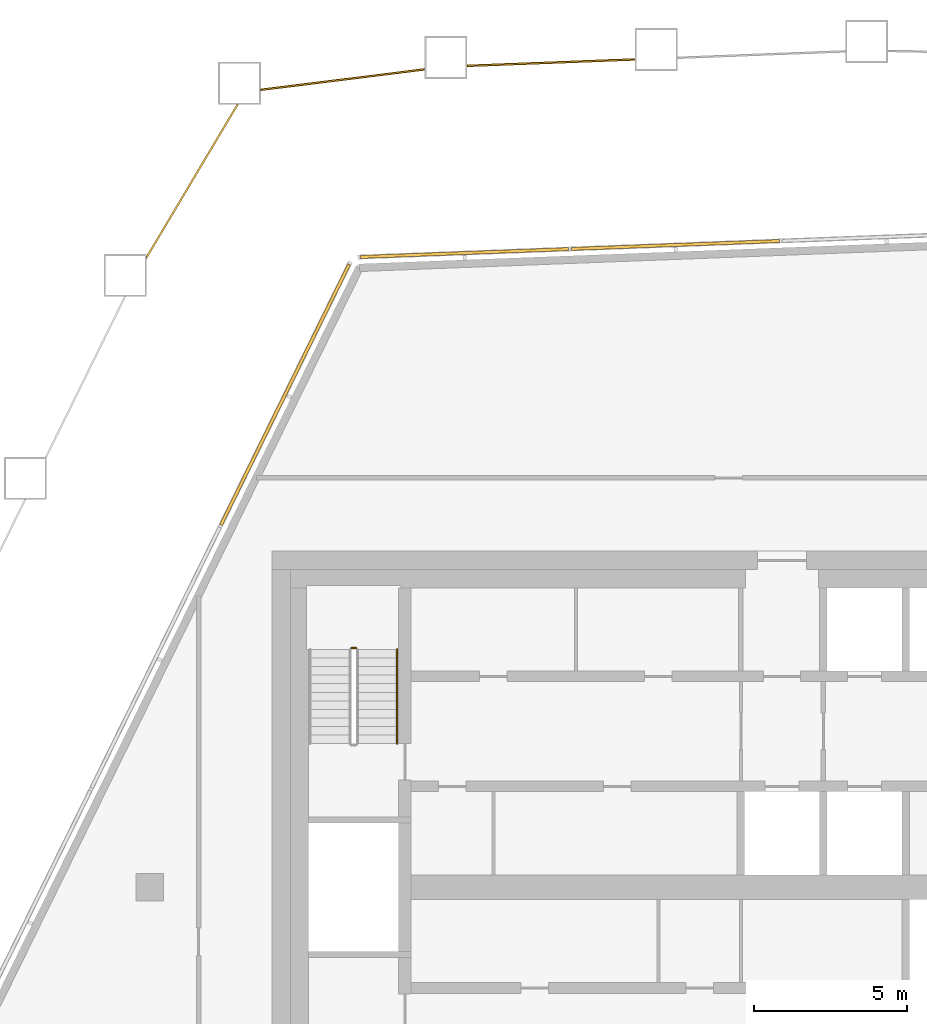
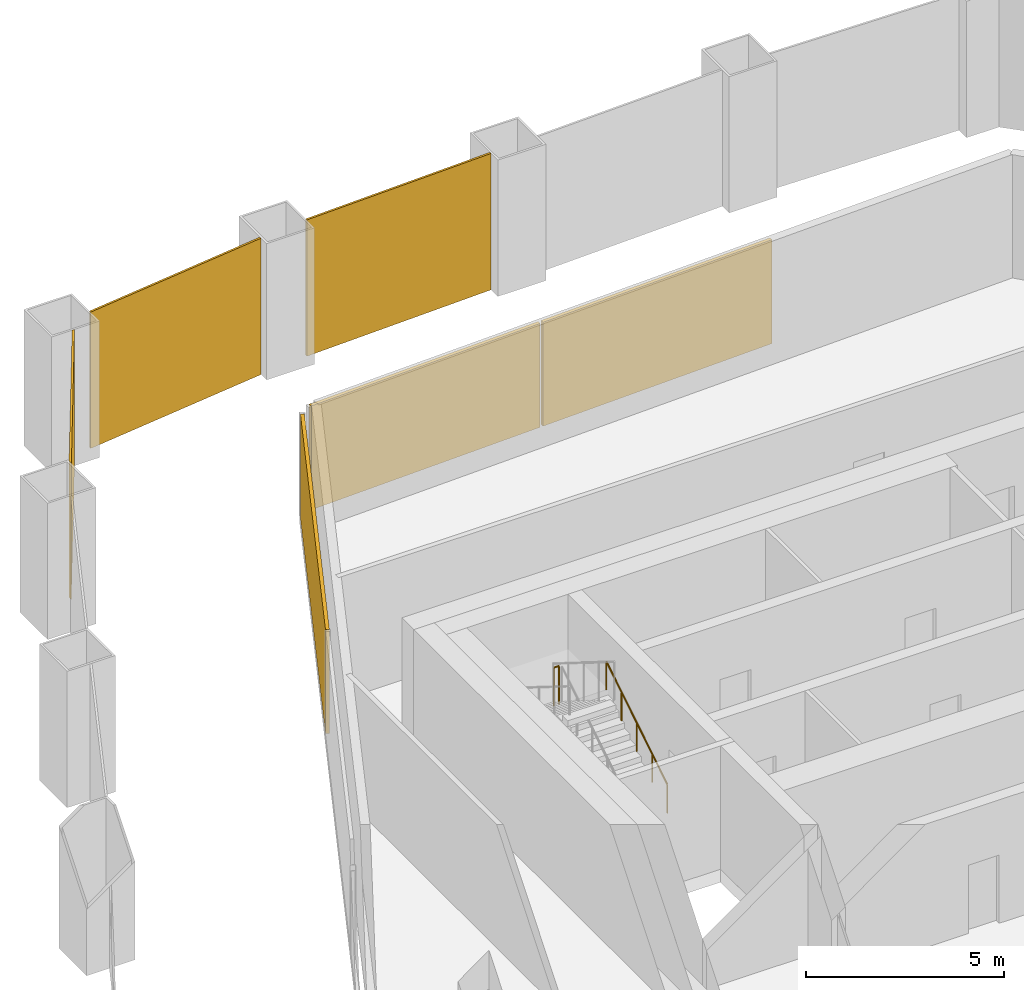
# One storey, part 16 of 18: 6 coverings, 2 railings, 2 elements without a shape of their own.
"""IFC4 building model written with IfcOpenShell, lengths in metres."""

import ifcopenshell
import ifcopenshell.guid

model = None  # the IFC model being written
_history = None  # IfcOwnerHistory: only IFC2X3 demands one
_inside = {}  # id of a spatial element -> (the spatial element, [elements in it])
_under = {}  # id of a project, library or spatial element -> (it, [spatial elements below it])
_declared = {}  # id of a project -> (the project, [libraries it declares])
_typed = {}  # id of a type object -> (the type object, [elements of that type])
_made_of = {}  # id of a material, layer set ... -> (it, [elements and type objects made of it])


def new_model(schema):
    """Start an empty IFC model of exactly this schema.

    Asked for "IFC4X3", IfcOpenShell would pick the latest addendum, in which some entities
    have other attributes; the version numbers below select the first issue.
    IFC2X3 requires an IfcOwnerHistory on every rooted entity: one is made here for all.
    """
    global model, _history
    if schema == "IFC4X3":
        model = ifcopenshell.file(schema_version=(4, 3, 0, 0))
    else:
        model = ifcopenshell.file(schema=schema)
    _inside.clear()
    _under.clear()
    _declared.clear()
    _typed.clear()
    _made_of.clear()
    _history = None
    if model.schema == "IFC2X3":
        org = make("IfcOrganization", Name="unknown")
        user = make(
            "IfcPersonAndOrganization",
            ThePerson=make("IfcPerson", FamilyName="unknown"),
            TheOrganization=org,
        )
        app = make(
            "IfcApplication",
            ApplicationDeveloper=org,
            Version="unknown",
            ApplicationFullName="unknown",
            ApplicationIdentifier="unknown",
        )
        _history = make(
            "IfcOwnerHistory",
            OwningUser=user,
            OwningApplication=app,
            ChangeAction="ADDED",
            CreationDate=0,
        )
    return model


def make(cls, **values):
    """One entity of the class cls with the attributes given. An attribute that is None is left unset."""
    return model.create_entity(
        cls, **{name: value for name, value in values.items() if value is not None}
    )


def rooted(cls, **values):
    """An entity with a GlobalId (a new one), such as an element, a storey or a relation."""
    return make(cls, GlobalId=ifcopenshell.guid.new(), OwnerHistory=_history, **values)


def si_unit(unit_type, name, prefix=None):
    """IfcSIUnit, for example si_unit("LENGTHUNIT", "METRE", prefix="MILLI")."""
    return make("IfcSIUnit", UnitType=unit_type, Prefix=prefix, Name=name)


def assignment(units):
    """IfcUnitAssignment: the units of a project."""
    return None if units is None else make("IfcUnitAssignment", Units=units)


def point(xyz):
    """IfcCartesianPoint."""
    return None if xyz is None else make("IfcCartesianPoint", Coordinates=xyz)


def direction(xyz):
    """IfcDirection."""
    return None if xyz is None else make("IfcDirection", DirectionRatios=xyz)


def frame(location, z_axis=None, x_axis=None):
    """IfcAxis2Placement3D, a coordinate frame: its origin and axes. An axis left out is left unset."""
    return make(
        "IfcAxis2Placement3D",
        Location=point(location),
        Axis=direction(z_axis),
        RefDirection=direction(x_axis),
    )


def frame_2d(location, x_axis=None):
    """IfcAxis2Placement2D, a coordinate frame in the plane: its origin and x axis."""
    return make(
        "IfcAxis2Placement2D", Location=point(location), RefDirection=direction(x_axis)
    )


def origin():
    """The frame at (0, 0, 0) with its axes left unset."""
    return frame((0.0, 0.0, 0.0))


def origin_2d():
    """The frame at (0, 0) in the plane with its x axis left unset."""
    return frame_2d((0.0, 0.0))


def place(relative_to, where):
    """IfcLocalPlacement: puts the frame where relative to a parent placement (None: the world)."""
    return make(
        "IfcLocalPlacement", PlacementRelTo=relative_to, RelativePlacement=where
    )


def context(
    kind, dimensions, precision=None, world=None, true_north=None, identifier=None
):
    """IfcGeometricRepresentationContext, for example the 3D "Model" context."""
    return make(
        "IfcGeometricRepresentationContext",
        ContextIdentifier=identifier,
        ContextType=kind,
        CoordinateSpaceDimension=dimensions,
        Precision=precision,
        WorldCoordinateSystem=world,
        TrueNorth=true_north,
    )


def subcontext(parent, identifier, kind, view, scale=None):
    """IfcGeometricRepresentationSubContext, for example "Body" below "Model"."""
    return make(
        "IfcGeometricRepresentationSubContext",
        ContextIdentifier=identifier,
        ContextType=kind,
        ParentContext=parent,
        TargetScale=scale,
        TargetView=view,
    )


def project(units=None, contexts=None):
    """IfcProject with its units and contexts."""
    return rooted(
        "IfcProject",
        Name="project",
        RepresentationContexts=contexts,
        UnitsInContext=assignment(units),
    )


def spatial(cls, under=None, at=None, **own):
    """A site, building, storey or space (cls), placed at a placement, below another one or the project."""
    s = rooted(cls, ObjectPlacement=at, **own)
    if under is not None:
        _under.setdefault(under.id(), (under, []))[1].append(s)
    return s


def polyline(points):
    """IfcPolyline through the points."""
    return make("IfcPolyline", Points=[point(p) for p in points])


def profile(cls, at=None, kind="AREA", **sizes):
    """A parametric profile (cls). Its sizes go by their IFC names, for example OverallWidth=200.0."""
    return make(cls, ProfileType=kind, Position=at, **sizes)


def rectangle(**sizes):
    """IfcRectangleProfileDef."""
    return profile("IfcRectangleProfileDef", **sizes)


def circle(**sizes):
    """IfcCircleProfileDef."""
    return profile("IfcCircleProfileDef", **sizes)


def outline(outer, holes=None, kind="AREA"):
    """IfcArbitraryClosedProfileDef: a profile drawn as a closed curve; with holes, ...WithVoids."""
    if holes is None:
        return make("IfcArbitraryClosedProfileDef", ProfileType=kind, OuterCurve=outer)
    return make(
        "IfcArbitraryProfileDefWithVoids",
        ProfileType=kind,
        OuterCurve=outer,
        InnerCurves=holes,
    )


def extrude(swept, where, along, depth):
    """IfcExtrudedAreaSolid: the profile swept, set in the frame where, extruded along a direction by depth."""
    return make(
        "IfcExtrudedAreaSolid",
        SweptArea=swept,
        Position=where,
        ExtrudedDirection=direction(along),
        Depth=depth,
    )


def shape(context_of_items, identifier, shape_type, items):
    """IfcShapeRepresentation: the items that make up one representation, for example the "Body"."""
    return make(
        "IfcShapeRepresentation",
        ContextOfItems=context_of_items,
        RepresentationIdentifier=identifier,
        RepresentationType=shape_type,
        Items=items,
    )


def material(Name=None, Category=None):
    """IfcMaterial."""
    return make("IfcMaterial", Name=Name, Category=Category)


def layer(
    of_material, thickness, ventilated=None, Name=None, Category=None, Priority=None
):
    """IfcMaterialLayer: one layer of a wall or slab, of a material (None: an air gap)."""
    return make(
        "IfcMaterialLayer",
        Material=of_material,
        LayerThickness=thickness,
        IsVentilated=ventilated,
        Name=Name,
        Category=Category,
        Priority=Priority,
    )


def layer_set(layers, Name=None):
    """IfcMaterialLayerSet."""
    return make("IfcMaterialLayerSet", MaterialLayers=layers, LayerSetName=Name)


def made_of(thing, what):
    """Note that an element or type object is made of a material, layer set ...; save() writes the relation."""
    if what is not None:
        _made_of.setdefault(what.id(), (what, []))[1].append(thing)
    return thing


def type_object(cls, material=None, **own):
    """A type object (cls), such as IfcWallType, which elements share."""
    return made_of(rooted(cls, **own), material)


def element(
    cls,
    number,
    at=None,
    inside=None,
    cuts=None,
    type_object=None,
    material=None,
    context=None,
    identifier="Body",
    shape_type=None,
    held_by="IfcProductDefinitionShape",
    body=None,
    shapes=None,
    **own,
):
    """One element of the class cls, such as IfcWall. Its Tag is "e" and its number.

    at: its placement. inside: the storey or other place that contains it. cuts: it is an
    opening in that element (IfcRelVoidsElement). A single representation is given by context,
    identifier, shape_type and body (its items); several are given by shapes. held_by: the class
    of the entity that holds the representations. save() writes the other relations.
    """
    e = rooted(cls, Tag="e%d" % number, ObjectPlacement=at, **own)
    if body is not None:
        shapes = [shape(context, identifier, shape_type, body)]
    if shapes is not None:
        e.Representation = make(held_by, Representations=shapes)
    if inside is not None:
        _inside.setdefault(inside.id(), (inside, []))[1].append(e)
    if cuts is not None:
        rooted(
            "IfcRelVoidsElement", RelatingBuildingElement=cuts, RelatedOpeningElement=e
        )
    if type_object is not None:
        _typed.setdefault(type_object.id(), (type_object, []))[1].append(e)
    return made_of(e, material)


def aggregate(whole, parts):
    """IfcRelAggregates: a whole, such as a stair, and the parts it consists of."""
    return rooted("IfcRelAggregates", RelatingObject=whole, RelatedObjects=parts)


def save(model, path):
    """Write the relations noted so far, then the file.

    IfcRelAggregates (storeys below a building ...), IfcRelContainedInSpatialStructure (elements
    in a storey), IfcRelDefinesByType, IfcRelAssociatesMaterial and IfcRelDeclares: one each for
    every whole, place, type object, material and project.
    """
    for whole, parts in _under.values():
        aggregate(whole, parts)
    for where, things in _inside.values():
        rooted(
            "IfcRelContainedInSpatialStructure",
            RelatedElements=things,
            RelatingStructure=where,
        )
    for kind, things in _typed.values():
        rooted("IfcRelDefinesByType", RelatedObjects=things, RelatingType=kind)
    for what, things in _made_of.values():
        rooted("IfcRelAssociatesMaterial", RelatedObjects=things, RelatingMaterial=what)
    for by, libraries in _declared.values():
        rooted("IfcRelDeclares", RelatingContext=by, RelatedDefinitions=libraries)
    model.write(path)


model = new_model("IFC4")

# Units and contexts
model_context = context("Model", 3, precision=1e-05, world=origin(), true_north=direction((0.0, 1.0)))
body_context = subcontext(model_context, "Body", "Model", "MODEL_VIEW")
ifc_project = project(units=[si_unit("LENGTHUNIT", "METRE"), si_unit("AREAUNIT", "SQUARE_METRE"), si_unit("VOLUMEUNIT", "CUBIC_METRE"), si_unit("PLANEANGLEUNIT", "RADIAN"), si_unit("MASSUNIT", "GRAM", prefix="KILO")], contexts=[model_context])

# Site, building, storey
site_placement = place(None, origin())
site = spatial("IfcSite", under=ifc_project, at=site_placement, CompositionType="ELEMENT")
building_placement = place(site_placement, origin())
building = spatial("IfcBuilding", under=site, at=building_placement, Name="Dongbaek Canopy Tower", CompositionType="ELEMENT")
storey_placement = place(building_placement, frame((0.0, 0.0, 359.0)))
storey = spatial("IfcBuildingStorey", under=building, at=storey_placement, Name="L77", CompositionType="ELEMENT", Elevation=359.0)

# Coverings
ifc_material_1 = material(Name="Perforated pale metal")
ifc_layer_1 = layer(ifc_material_1, 0.06005859375)
ifc_layer_set_1 = layer_set([ifc_layer_1], Name="Crown plant screen")
covering_type_1 = type_object("IfcCoveringType", Name="Crown plant screen", PredefinedType="CLADDING", material=ifc_layer_set_1)
covering_1_placement = place(storey_placement, origin())
element("IfcCovering", 1, at=covering_1_placement, inside=storey, type_object=covering_type_1, Name="Crown plant screen 20 L77", PredefinedType="CLADDING", context=body_context, shape_type="SweptSolid", body=[
    extrude(outline(polyline([(-2.117919921875, 27.131103515625), (-2.117919921875, 27.07080078125), (-7.60888671875, 26.860595703125), (-7.60888671875, 26.920654296875), (-2.117919921875, 27.131103515625)])), origin(), (0.0, 0.0, 1.0), 4.199951171875),
])
covering_2_placement = place(storey_placement, origin())
element("IfcCovering", 2, at=covering_2_placement, inside=storey, type_object=covering_type_1, Name="Crown plant screen 21 L77", PredefinedType="CLADDING", context=body_context, shape_type="SweptSolid", body=[
    extrude(outline(polyline([(-9.009033203125, 26.804443359375), (-9.009033203125, 26.744140625), (-14.362060546875, 26.07568359375), (-14.362060546875, 26.13623046875), (-9.009033203125, 26.804443359375)])), origin(), (0.0, 0.0, 1.0), 4.199951171875),
])
covering_3_placement = place(storey_placement, origin())
element("IfcCovering", 3, at=covering_3_placement, inside=storey, type_object=covering_type_1, Name="Crown plant screen 22 L77", PredefinedType="CLADDING", context=body_context, shape_type="SweptSolid", body=[
    extrude(outline(polyline([(-15.16455078125, 25.62109375), (-15.0947265625, 25.62109375), (-18.10595703125, 20.562744140625), (-18.10595703125, 20.679931640625), (-15.16455078125, 25.62109375)])), origin(), (0.0, 0.0, 1.0), 4.199951171875),
])

# Curtain wall, coverings
ifc_material_2 = material(Name="Aluminium 6063-T6 pale anodised", Category="aluminium")
ifc_layer_2 = layer(ifc_material_2, 0.14990234375)
ifc_layer_set_2 = layer_set([ifc_layer_2], Name="CW-7 louvre curtain wall")
curtain_wall_type = type_object("IfcCurtainWallType", Name="CW-7 louvre curtain wall", PredefinedType="NOTDEFINED", material=ifc_layer_set_2)
curtain_wall_1_placement = place(storey_placement, origin())
curtain_wall_1 = element("IfcCurtainWall", 4, at=curtain_wall_1_placement, inside=storey, type_object=curtain_wall_type, Name="CW-7 louvre wall L77 F3", PredefinedType="NOTDEFINED")
ifc_material_3 = material(Name="Aluminium 6063-T6 pale metal louvre blades", Category="aluminium")
ifc_layer_3 = layer(ifc_material_3, 0.10009765625)
ifc_layer_set_3 = layer_set([ifc_layer_3], Name="Louvre LV bank 100 x 3200")
covering_type_2 = type_object("IfcCoveringType", Name="Louvre LV bank 100 x 3200", PredefinedType="CLADDING", material=ifc_layer_set_3)
covering_4_placement = place(storey_placement, frame((-0.791015625, 21.02587890625, 0.2998046875), z_axis=(0.0, 0.0, 1.0), x_axis=(-0.999268890611, -0.038231979514, 0.0)))
covering_4 = element("IfcCovering", 5, at=covering_4_placement, type_object=covering_type_2, Name="Louvre L77 F3.1.2", PredefinedType="CLADDING", context=body_context, shape_type="SweptSolid", body=[
    extrude(rectangle(XDim=6.822265625, YDim=0.10009765625, at=origin_2d()), origin(), (0.0, 0.0, 1.0), 3.199951171875),
])
covering_5_placement = place(storey_placement, frame((-7.6982421875, 20.76171875, 0.2998046875), z_axis=(0.0, 0.0, 1.0), x_axis=(-0.999268890611, -0.038231979514, 0.0)))
covering_5 = element("IfcCovering", 6, at=covering_5_placement, type_object=covering_type_2, Name="Louvre L77 F3.1.3", PredefinedType="CLADDING", context=body_context, shape_type="SweptSolid", body=[
    extrude(rectangle(XDim=6.822265625, YDim=0.10009765625, at=origin_2d()), origin(), (0.0, 0.0, 1.0), 3.199951171875),
])
aggregate(curtain_wall_1, [covering_4, covering_5])

# Curtain wall, covering
curtain_wall_2_placement = place(storey_placement, origin())
curtain_wall_2 = element("IfcCurtainWall", 7, at=curtain_wall_2_placement, inside=storey, type_object=curtain_wall_type, Name="CW-7 louvre wall L77 F4", PredefinedType="NOTDEFINED")
covering_6_placement = place(storey_placement, frame((-13.5712890625, 16.126220703125, 0.2998046875), z_axis=(0.0, 0.0, 1.0), x_axis=(-0.441341619439, -0.897339163834, 0.0)))
covering_6 = element("IfcCovering", 8, at=covering_6_placement, type_object=covering_type_2, Name="Louvre L77 F4.1.1", PredefinedType="CLADDING", context=body_context, shape_type="SweptSolid", body=[
    extrude(rectangle(XDim=9.51171875, YDim=0.10009765625, at=origin_2d()), origin(), (0.0, 0.0, 1.0), 3.199951171875),
])
aggregate(curtain_wall_2, [covering_6])

# Railings
ifc_material_4 = material(Name="Stainless steel tube and balusters", Category="steel")
railing_type_1 = type_object("IfcRailingType", Name="Stair guard 1200", PredefinedType="GUARDRAIL", material=ifc_material_4)
railing_1_placement = place(storey_placement, frame((-11.25, 7.830078125, 2.10009765625)))
element("IfcRailing", 9, at=railing_1_placement, inside=storey, type_object=railing_type_1, Name="L77 ST-C stair guard 2", PredefinedType="GUARDRAIL", context=body_context, shape_type="SweptSolid", body=[
    extrude(circle(Radius=0.02392578125, at=origin_2d()), frame((0.0, 0.0, 1.17578125), z_axis=(-1.0, 0.0, 0.0), x_axis=(0.0, -1.0, 0.0)), (0.0, 0.0, 1.0), 0.14990234375),
    extrude(circle(Radius=0.02099609375, at=origin_2d()), origin(), (0.0, 0.0, 1.0), 1.15185546875),
    extrude(circle(Radius=0.02099609375, at=origin_2d()), frame((-0.14990234375, 0.0, 0.0)), (0.0, 0.0, 1.0), 1.15185546875),
])
ifc_material_5 = material(Name="Stainless steel tube", Category="steel")
railing_type_2 = type_object("IfcRailingType", Name="Stair handrail 900", PredefinedType="HANDRAIL", material=ifc_material_5)
railing_2_placement = place(storey_placement, frame((-9.89990234375, 4.699951171875, 0.175048828125)))
element("IfcRailing", 10, at=railing_2_placement, inside=storey, type_object=railing_type_2, Name="L77 ST-C stair handrail 1", PredefinedType="HANDRAIL", context=body_context, shape_type="SweptSolid", body=[
    extrude(circle(Radius=0.02392578125, at=origin_2d()), frame((0.0, 0.0, 0.8759765625), z_axis=(0.0, 0.847998304005, 0.529998940003), x_axis=(-1.0, 0.0, 0.0)), (0.0, 0.0, 1.0), 3.632080078125),
    extrude(circle(Radius=0.02099609375, at=origin_2d()), origin(), (0.0, 0.0, 1.0), 0.851806640625),
    extrude(circle(Radius=0.02099609375, at=origin_2d()), frame((0.0, 0.77001953125, 0.481201171875)), (0.0, 0.0, 1.0), 0.851806640625),
    extrude(circle(Radius=0.02099609375, at=origin_2d()), frame((0.0, 1.5400390625, 0.96240234375)), (0.0, 0.0, 1.0), 0.851806640625),
    extrude(circle(Radius=0.02099609375, at=origin_2d()), frame((0.0, 2.31005859375, 1.44384765625)), (0.0, 0.0, 1.0), 0.851806640625),
    extrude(circle(Radius=0.02099609375, at=origin_2d()), frame((0.0, 3.080078125, 1.925048828125)), (0.0, 0.0, 1.0), 0.851806640625),
])

save(model, "model.ifc")
